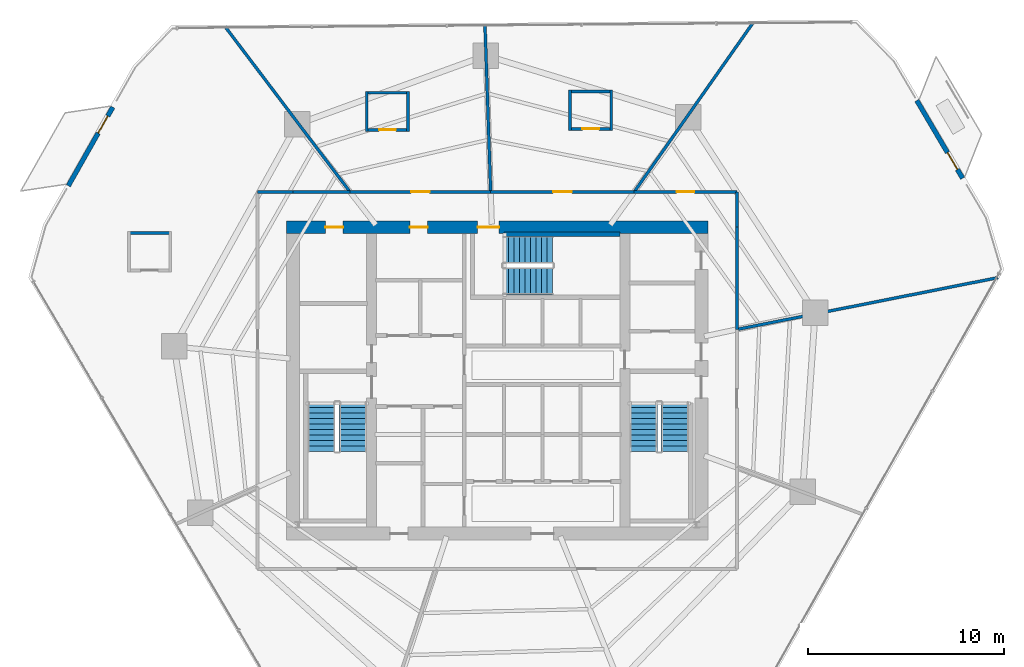
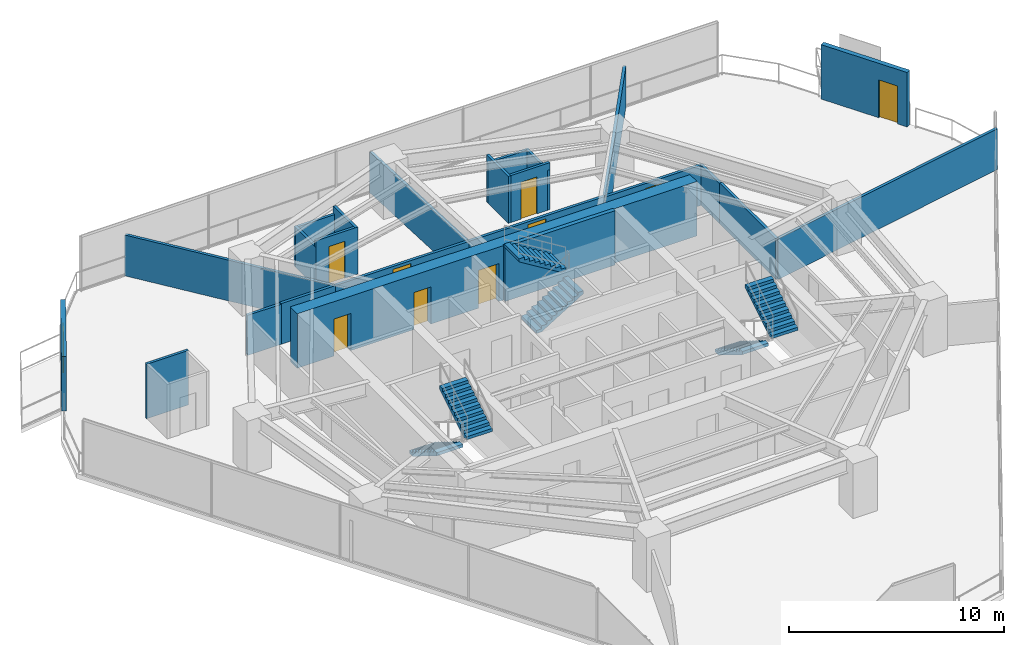
# One storey, part 26 of 31: 24 walls, 10 doors, 6 stair flights, 10 openings, 3 elements without a shape of their own.
"""IFC4 building model written with IfcOpenShell, lengths in metres."""

from ifc_helpers import new_model, si_unit, direction, frame, frame_2d, origin, place, context, subcontext, project, spatial, polyline, rectangle, outline, extrude, material, layer, layer_set, type_object, element, fill, aggregate, save


model = new_model("IFC4")

# Units and contexts
model_context = context("Model", 3, precision=1e-05, world=origin(), true_north=direction((0.0, 1.0)))
body_context = subcontext(model_context, "Body", "Model", "MODEL_VIEW")
ifc_project = project(units=[si_unit("LENGTHUNIT", "METRE"), si_unit("AREAUNIT", "SQUARE_METRE"), si_unit("VOLUMEUNIT", "CUBIC_METRE"), si_unit("PLANEANGLEUNIT", "RADIAN"), si_unit("MASSUNIT", "GRAM", prefix="KILO")], contexts=[model_context])

# Site, building, storey
site_placement = place(None, origin())
site = spatial("IfcSite", under=ifc_project, at=site_placement, CompositionType="ELEMENT")
building_placement = place(site_placement, origin())
building = spatial("IfcBuilding", under=site, at=building_placement, Name="Qarnah Convention Tower", CompositionType="ELEMENT")
storey_placement = place(building_placement, frame((0.0, 0.0, 68.39990234375)))
storey = spatial("IfcBuildingStorey", under=building, at=storey_placement, Name="L17", CompositionType="ELEMENT", Elevation=68.39990234375)

# Wall, openings, doors
ifc_material_1 = material(Name="Concrete C60/75", Category="concrete")
ifc_layer_1 = layer(ifc_material_1, 0.64990234375)
ifc_layer_set_1 = layer_set([ifc_layer_1], Name="Concrete C60/75")
wall_type_1 = type_object("IfcWallType", Name="WL-CORE-650", PredefinedType="SHEAR", material=ifc_layer_set_1)
wall_1_placement = place(storey_placement, frame((26.47509765625, 34.199951171875, 0.0), z_axis=(0.0, 0.0, 1.0), x_axis=(1.0, 0.0, 0.0)))
wall_1 = element("IfcWall", 1, at=wall_1_placement, inside=storey, type_object=wall_type_1, Name="L17 core north shear wall", PredefinedType="SHEAR", context=body_context, shape_type="SweptSolid", body=[
    extrude(rectangle(XDim=21.449951171875, YDim=0.64990234375, at=frame_2d((10.72509765625, 0.0))), origin(), (0.0, 0.0, 1.0), 3.090087890625),
])
opening_1_placement = place(wall_1_placement, frame((9.72509765625, 0.0, 0.0)))
opening_1 = element("IfcOpeningElement", 2, at=opening_1_placement, cuts=wall_1, Name="Opening D-1703", PredefinedType="OPENING", context=body_context, shape_type="SweptSolid", body=[
    extrude(rectangle(XDim=1.10009765625, YDim=2.14990234375, at=frame_2d((0.550048828125, 1.074951171875))), frame((0.0, 0.3349609375, 0.0), z_axis=(0.0, -1.0, 0.0), x_axis=(1.0, 0.0, 0.0)), (0.0, 0.0, 1.0), 0.669921875),
])
opening_2_placement = place(wall_1_placement, frame((1.97509765625, 0.0, 0.0)))
opening_2 = element("IfcOpeningElement", 3, at=opening_2_placement, cuts=wall_1, Name="Opening D-1709", PredefinedType="OPENING", context=body_context, shape_type="SweptSolid", body=[
    extrude(rectangle(XDim=0.89990234375, YDim=2.10009765625, at=frame_2d((0.449951171875, 1.050048828125))), frame((0.0, 0.3349609375, 0.0), z_axis=(0.0, -1.0, 0.0), x_axis=(1.0, 0.0, 0.0)), (0.0, 0.0, 1.0), 0.669921875),
])
opening_3_placement = place(wall_1_placement, frame((6.27490234375, 0.0, 0.0)))
opening_3 = element("IfcOpeningElement", 4, at=opening_3_placement, cuts=wall_1, Name="Opening D-1710", PredefinedType="OPENING", context=body_context, shape_type="SweptSolid", body=[
    extrude(rectangle(XDim=0.89990234375, YDim=2.10009765625, at=frame_2d((0.449951171875, 1.050048828125))), frame((0.0, 0.3349609375, 0.0), z_axis=(0.0, -1.0, 0.0), x_axis=(1.0, 0.0, 0.0)), (0.0, 0.0, 1.0), 0.669921875),
])
ifc_material_2 = material(Name="Structural steel S355JR", Category="steel")
door_type_1 = type_object("IfcDoorType", Name="DT-RISER-900", OperationType="NOTDEFINED", PredefinedType="DOOR", material=ifc_material_2)
door_1_placement = place(opening_2_placement, origin())
door_1 = element("IfcDoor", 5, at=door_1_placement, inside=storey, type_object=door_type_1, Name="Door D-1709", OperationType="SINGLE_SWING_LEFT", OverallHeight=2.10009765625, OverallWidth=0.89990234375, PredefinedType="DOOR", context=body_context, shape_type="SweptSolid", body=[
    extrude(rectangle(XDim=0.89990234375, YDim=2.10009765625, at=frame_2d((0.449951171875, 1.050048828125))), frame((0.0, 0.02490234375, 0.0), z_axis=(0.0, -1.0, 0.0), x_axis=(1.0, 0.0, 0.0)), (0.0, 0.0, 1.0), 0.050048828125),
])
fill(opening_2, door_1)
door_2_placement = place(opening_3_placement, origin())
door_2 = element("IfcDoor", 6, at=door_2_placement, inside=storey, type_object=door_type_1, Name="Door D-1710", OperationType="SINGLE_SWING_RIGHT", OverallHeight=2.10009765625, OverallWidth=0.89990234375, PredefinedType="DOOR", context=body_context, shape_type="SweptSolid", body=[
    extrude(rectangle(XDim=0.89990234375, YDim=2.10009765625, at=frame_2d((0.449951171875, 1.050048828125))), frame((0.0, 0.02490234375, 0.0), z_axis=(0.0, -1.0, 0.0), x_axis=(1.0, 0.0, 0.0)), (0.0, 0.0, 1.0), 0.050048828125),
])
fill(opening_3, door_2)
door_type_2 = type_object("IfcDoorType", Name="DT-STAIR-1100", OperationType="NOTDEFINED", PredefinedType="DOOR", material=ifc_material_2)
door_3_placement = place(opening_1_placement, origin())
door_3 = element("IfcDoor", 7, at=door_3_placement, inside=storey, type_object=door_type_2, Name="Door D-1703", OperationType="SINGLE_SWING_LEFT", OverallHeight=2.14990234375, OverallWidth=1.10009765625, PredefinedType="DOOR", context=body_context, shape_type="SweptSolid", body=[
    extrude(rectangle(XDim=1.10009765625, YDim=2.14990234375, at=frame_2d((0.550048828125, 1.074951171875))), frame((0.0, 0.02490234375, 0.0), z_axis=(0.0, -1.0, 0.0), x_axis=(1.0, 0.0, 0.0)), (0.0, 0.0, 1.0), 0.050048828125),
])
fill(opening_1, door_3)

# Wall
ifc_layer_2 = layer(ifc_material_1, 0.219970703125)
ifc_layer_set_2 = layer_set([ifc_layer_2], Name="Concrete C60/75")
wall_type_2 = type_object("IfcWallType", Name="WL-CORE-STAIR-220", PredefinedType="SHEAR", material=ifc_layer_set_2)
wall_2_placement = place(storey_placement, frame((37.550048828125, 33.840087890625, 0.0), z_axis=(0.0, 0.0, 1.0), x_axis=(1.0, 0.0, 0.0)))
element("IfcWall", 8, at=wall_2_placement, inside=storey, type_object=wall_type_2, Name="L17 stair shaft shear wall SW-L17-ST3N", PredefinedType="SHEAR", context=body_context, shape_type="SweptSolid", body=[
    extrude(rectangle(XDim=5.89990234375, YDim=0.219970703125, at=frame_2d((2.949951171875, 0.0))), origin(), (0.0, 0.0, 1.0), 3.090087890625),
])

# Wall, opening, door
ifc_material_3 = material(Name="Precast concrete C45/55", Category="concrete")
ifc_layer_3 = layer(ifc_material_3, 0.239990234375)
ifc_layer_set_3 = layer_set([ifc_layer_3], Name="Precast concrete C45/55")
wall_type_3 = type_object("IfcWallType", Name="WL-EXT-BAL-240", PredefinedType="SOLIDWALL", material=ifc_layer_set_3)
wall_3_placement = place(storey_placement, frame((58.56591796875, 40.655029296875, 0.0), z_axis=(0.0, 0.0, 1.0), x_axis=(0.507210320613, -0.861822308057, 0.0)))
wall_3 = element("IfcWall", 9, at=wall_3_placement, inside=storey, type_object=wall_type_3, Name="L17 loggia threshold wall BAL-L17-C1", PredefinedType="SOLIDWALL", context=body_context, shape_type="SweptSolid", body=[
    extrude(rectangle(XDim=4.599609375, YDim=0.239990234375, at=frame_2d((2.2998046875, 0.0))), origin(), (0.0, 0.0, 1.0), 3.090087890625),
])
opening_4_placement = place(wall_3_placement, frame((3.080078125, 0.0, 0.0)))
opening_4 = element("IfcOpeningElement", 10, at=opening_4_placement, cuts=wall_3, Name="Opening BD-1701", PredefinedType="OPENING", context=body_context, shape_type="SweptSolid", body=[
    extrude(rectangle(XDim=1.0, YDim=2.14990234375, at=frame_2d((0.5, 1.074951171875))), frame((0.0, 0.1298828125, 0.0), z_axis=(0.0, -1.0, 0.0), x_axis=(1.0, 0.0, 0.0)), (0.0, 0.0, 1.0), 0.260009765625),
])
ifc_material_4 = material(Name="Black anodised aluminium", Category="aluminium")
door_type_3 = type_object("IfcDoorType", Name="DT-BAL-1000", OperationType="NOTDEFINED", PredefinedType="DOOR", material=ifc_material_4)
door_4_placement = place(opening_4_placement, origin())
door_4 = element("IfcDoor", 11, at=door_4_placement, inside=storey, type_object=door_type_3, Name="L17 balcony terrace door BAL-L17-C1", OperationType="SINGLE_SWING_RIGHT", OverallHeight=2.14990234375, OverallWidth=1.0, PredefinedType="DOOR", context=body_context, shape_type="SweptSolid", body=[
    extrude(rectangle(XDim=1.0, YDim=2.14990234375, at=frame_2d((0.5, 1.074951171875))), frame((0.0, 0.02490234375, 0.0), z_axis=(0.0, -1.0, 0.0), x_axis=(1.0, 0.0, 0.0)), (0.0, 0.0, 1.0), 0.050048828125),
])
fill(opening_4, door_4)

wall_4_placement = place(storey_placement, frame((15.35693359375, 36.31005859375, 0.0), z_axis=(0.0, 0.0, 1.0), x_axis=(0.492739307078, 0.870176979275, 0.0)))
wall_4 = element("IfcWall", 12, at=wall_4_placement, inside=storey, type_object=wall_type_3, Name="L17 loggia threshold wall BAL-L17-C2", PredefinedType="SOLIDWALL", context=body_context, shape_type="SweptSolid", body=[
    extrude(rectangle(XDim=4.59912109375, YDim=0.239990234375, at=frame_2d((2.299560546875, 0.0))), origin(), (0.0, 0.0, 1.0), 3.090087890625),
])
opening_5_placement = place(wall_4_placement, frame((3.0791015625, 0.0, 0.0)))
opening_5 = element("IfcOpeningElement", 13, at=opening_5_placement, cuts=wall_4, Name="Opening BD-1702", PredefinedType="OPENING", context=body_context, shape_type="SweptSolid", body=[
    extrude(rectangle(XDim=1.0, YDim=2.14990234375, at=frame_2d((0.5, 1.074951171875))), frame((0.0, 0.1298828125, 0.0), z_axis=(0.0, -1.0, 0.0), x_axis=(1.0, 0.0, 0.0)), (0.0, 0.0, 1.0), 0.260009765625),
])
door_5_placement = place(opening_5_placement, origin())
door_5 = element("IfcDoor", 14, at=door_5_placement, inside=storey, type_object=door_type_3, Name="L17 balcony terrace door BAL-L17-C2", OperationType="SINGLE_SWING_LEFT", OverallHeight=2.14990234375, OverallWidth=1.0, PredefinedType="DOOR", context=body_context, shape_type="SweptSolid", body=[
    extrude(rectangle(XDim=1.0, YDim=2.14990234375, at=frame_2d((0.5, 1.074951171875))), frame((0.0, 0.02490234375, 0.0), z_axis=(0.0, -1.0, 0.0), x_axis=(1.0, 0.0, 0.0)), (0.0, 0.0, 1.0), 0.050048828125),
])
fill(opening_5, door_5)

# Wall
ifc_material_5 = material(Name="Gypsum partition board")
ifc_layer_4 = layer(ifc_material_5, 0.14990234375)
ifc_layer_set_4 = layer_set([ifc_layer_4], Name="Gypsum partition board")
wall_type_4 = type_object("IfcWallType", Name="WL-SUITE-150", PredefinedType="PARTITIONING", material=ifc_layer_set_4)
wall_5_placement = place(storey_placement, frame((50.2490234375, 44.64306640625, 0.0), z_axis=(0.0, 0.0, 1.0), x_axis=(-0.574975204472, -0.818170834387, 0.0)))
element("IfcWall", 15, at=wall_5_placement, inside=storey, type_object=wall_type_4, Name="L17 interior wall IW-L17-R-13", PredefinedType="PARTITIONING", context=body_context, shape_type="SweptSolid", body=[
    extrude(rectangle(XDim=10.56396484375, YDim=0.14990234375, at=frame_2d((5.281982421875, 0.0))), origin(), (0.0, 0.0, 1.0), 2.315185546875),
])

# Wall, opening, door
wall_6_placement = place(storey_placement, frame((44.175048828125, 36.0, 0.0), z_axis=(0.0, 0.0, 1.0), x_axis=(1.0, 0.0, 0.0)))
wall_6 = element("IfcWall", 16, at=wall_6_placement, inside=storey, type_object=wall_type_4, Name="L17 interior wall IW-L17-R-14", PredefinedType="PARTITIONING", context=body_context, shape_type="SweptSolid", body=[
    extrude(rectangle(XDim=5.224853515625, YDim=0.14990234375, at=frame_2d((2.6123046875, 0.0))), origin(), (0.0, 0.0, 1.0), 2.275146484375),
])
opening_6_placement = place(wall_6_placement, frame((2.1630859375, 0.0, 0.0)))
opening_6 = element("IfcOpeningElement", 17, at=opening_6_placement, cuts=wall_6, Name="Opening D-1716", PredefinedType="OPENING", context=body_context, shape_type="SweptSolid", body=[
    extrude(rectangle(XDim=0.89990234375, YDim=2.0, at=frame_2d((0.449951171875, 1.0))), frame((0.0, 0.0849609375, 0.0), z_axis=(0.0, -1.0, 0.0), x_axis=(1.0, 0.0, 0.0)), (0.0, 0.0, 1.0), 0.169921875),
])
door_type_4 = type_object("IfcDoorType", Name="DT-PLANT-900", OperationType="NOTDEFINED", PredefinedType="DOOR", material=ifc_material_2)
door_6_placement = place(opening_6_placement, origin())
door_6 = element("IfcDoor", 18, at=door_6_placement, inside=storey, type_object=door_type_4, Name="Door D-1716", OperationType="SINGLE_SWING_RIGHT", OverallHeight=2.0, OverallWidth=0.89990234375, PredefinedType="DOOR", context=body_context, shape_type="SweptSolid", body=[
    extrude(rectangle(XDim=0.89990234375, YDim=2.0, at=frame_2d((0.449951171875, 1.0))), frame((0.0, 0.02490234375, 0.0), z_axis=(0.0, -1.0, 0.0), x_axis=(1.0, 0.0, 0.0)), (0.0, 0.0, 1.0), 0.050048828125),
])
fill(opening_6, door_6)

# Walls
wall_7_placement = place(storey_placement, frame((49.39990234375, 36.0, 0.0), z_axis=(0.0, 0.0, 1.0), x_axis=(0.0, -1.0, 0.0)))
element("IfcWall", 19, at=wall_7_placement, inside=storey, type_object=wall_type_4, Name="L17 interior wall IW-L17-R-15", PredefinedType="PARTITIONING", context=body_context, shape_type="SweptSolid", body=[
    extrude(rectangle(XDim=1.800048828125, YDim=0.14990234375, at=frame_2d((0.89990234375, 0.0))), origin(), (0.0, 0.0, 1.0), 2.275146484375),
])
wall_8_placement = place(storey_placement, frame((49.39990234375, 34.199951171875, 0.0), z_axis=(0.0, 0.0, 1.0), x_axis=(0.0, -1.0, 0.0)))
element("IfcWall", 20, at=wall_8_placement, inside=storey, type_object=wall_type_4, Name="L17 interior wall IW-L17-R-16", PredefinedType="PARTITIONING", context=body_context, shape_type="SweptSolid", body=[
    extrude(rectangle(XDim=5.20703125, YDim=0.14990234375, at=frame_2d((2.603515625, 0.0))), origin(), (0.0, 0.0, 1.0), 2.315185546875),
])
wall_9_placement = place(storey_placement, frame((49.39990234375, 28.992919921875, 0.0), z_axis=(0.0, 0.0, 1.0), x_axis=(0.980883446328, 0.194596158028, 0.0)))
element("IfcWall", 21, at=wall_9_placement, inside=storey, type_object=wall_type_4, Name="L17 interior wall IW-L17-R-17", PredefinedType="PARTITIONING", context=body_context, shape_type="SweptSolid", body=[
    extrude(rectangle(XDim=13.562255859375, YDim=0.14990234375, at=frame_2d((6.78125, 0.0))), origin(), (0.0, 0.0, 1.0), 2.315185546875),
])
wall_10_placement = place(storey_placement, frame((36.573974609375, 44.513916015625, 0.0), z_axis=(0.0, 0.0, 1.0), x_axis=(0.034161221332, -0.999416335146, 0.0)))
element("IfcWall", 22, at=wall_10_placement, inside=storey, type_object=wall_type_4, Name="L17 interior wall IW-L17-R-18", PredefinedType="PARTITIONING", context=body_context, shape_type="SweptSolid", body=[
    extrude(rectangle(XDim=8.518798828125, YDim=0.14990234375, at=frame_2d((4.25927734375, 0.0))), origin(), (0.0, 0.0, 1.0), 2.315185546875),
])

# Wall, opening, door
wall_11_placement = place(storey_placement, frame((36.864990234375, 36.0, 0.0), z_axis=(0.0, 0.0, 1.0), x_axis=(1.0, 0.0, 0.0)))
wall_11 = element("IfcWall", 23, at=wall_11_placement, inside=storey, type_object=wall_type_4, Name="L17 interior wall IW-L17-R-19", PredefinedType="PARTITIONING", context=body_context, shape_type="SweptSolid", body=[
    extrude(rectangle(XDim=7.31005859375, YDim=0.14990234375, at=frame_2d((3.655029296875, 0.0))), origin(), (0.0, 0.0, 1.0), 2.315185546875),
])
opening_7_placement = place(wall_11_placement, frame((3.179931640625, 0.0, 0.0)))
opening_7 = element("IfcOpeningElement", 24, at=opening_7_placement, cuts=wall_11, Name="Opening D-1717", PredefinedType="OPENING", context=body_context, shape_type="SweptSolid", body=[
    extrude(rectangle(XDim=0.949951171875, YDim=2.14990234375, at=frame_2d((0.47509765625, 1.074951171875))), frame((0.0, 0.0849609375, 0.0), z_axis=(0.0, -1.0, 0.0), x_axis=(1.0, 0.0, 0.0)), (0.0, 0.0, 1.0), 0.169921875),
])
ifc_material_6 = material(Name="Oak timber veneer", Category="wood")
door_type_5 = type_object("IfcDoorType", Name="DT-HOTEL-950", OperationType="NOTDEFINED", PredefinedType="DOOR", material=ifc_material_6)
door_7_placement = place(opening_7_placement, origin())
door_7 = element("IfcDoor", 25, at=door_7_placement, inside=storey, type_object=door_type_5, Name="Door D-1717", OperationType="SINGLE_SWING_LEFT", OverallHeight=2.14990234375, OverallWidth=0.949951171875, PredefinedType="DOOR", context=body_context, shape_type="SweptSolid", body=[
    extrude(rectangle(XDim=0.949951171875, YDim=2.14990234375, at=frame_2d((0.47509765625, 1.074951171875))), frame((0.0, 0.02490234375, 0.0), z_axis=(0.0, -1.0, 0.0), x_axis=(1.0, 0.0, 0.0)), (0.0, 0.0, 1.0), 0.050048828125),
])
fill(opening_7, door_7)

# Wall
wall_12_placement = place(storey_placement, frame((23.3369140625, 44.4189453125, 0.0), z_axis=(0.0, 0.0, 1.0), x_axis=(0.602957118565, -0.79777359769, 0.0)))
element("IfcWall", 26, at=wall_12_placement, inside=storey, type_object=wall_type_4, Name="L17 interior wall IW-L17-R-20", PredefinedType="PARTITIONING", context=body_context, shape_type="SweptSolid", body=[
    extrude(rectangle(XDim=10.552978515625, YDim=0.14990234375, at=frame_2d((5.2763671875, 0.0))), origin(), (0.0, 0.0, 1.0), 2.315185546875),
])

# Wall, opening, door
wall_13_placement = place(storey_placement, frame((29.699951171875, 36.0, 0.0), z_axis=(0.0, 0.0, 1.0), x_axis=(1.0, 0.0, 0.0)))
wall_13 = element("IfcWall", 27, at=wall_13_placement, inside=storey, type_object=wall_type_4, Name="L17 interior wall IW-L17-R-21", PredefinedType="PARTITIONING", context=body_context, shape_type="SweptSolid", body=[
    extrude(rectangle(XDim=7.1650390625, YDim=0.14990234375, at=frame_2d((3.58251953125, 0.0))), origin(), (0.0, 0.0, 1.0), 2.315185546875),
])
opening_8_placement = place(wall_13_placement, frame((3.10791015625, 0.0, 0.0)))
opening_8 = element("IfcOpeningElement", 28, at=opening_8_placement, cuts=wall_13, Name="Opening D-1719", PredefinedType="OPENING", context=body_context, shape_type="SweptSolid", body=[
    extrude(rectangle(XDim=0.949951171875, YDim=2.14990234375, at=frame_2d((0.47509765625, 1.074951171875))), frame((0.0, 0.0849609375, 0.0), z_axis=(0.0, -1.0, 0.0), x_axis=(1.0, 0.0, 0.0)), (0.0, 0.0, 1.0), 0.169921875),
])
door_8_placement = place(opening_8_placement, origin())
door_8 = element("IfcDoor", 29, at=door_8_placement, inside=storey, type_object=door_type_5, Name="Door D-1719", OperationType="SINGLE_SWING_LEFT", OverallHeight=2.14990234375, OverallWidth=0.949951171875, PredefinedType="DOOR", context=body_context, shape_type="SweptSolid", body=[
    extrude(rectangle(XDim=0.949951171875, YDim=2.14990234375, at=frame_2d((0.47509765625, 1.074951171875))), frame((0.0, 0.02490234375, 0.0), z_axis=(0.0, -1.0, 0.0), x_axis=(1.0, 0.0, 0.0)), (0.0, 0.0, 1.0), 0.050048828125),
])
fill(opening_8, door_8)

# Walls
wall_14_placement = place(storey_placement, frame((25.0, 36.0, 0.0), z_axis=(0.0, 0.0, 1.0), x_axis=(1.0, 0.0, 0.0)))
element("IfcWall", 30, at=wall_14_placement, inside=storey, type_object=wall_type_4, Name="L17 interior wall IW-L17-R-24", PredefinedType="PARTITIONING", context=body_context, shape_type="SweptSolid", body=[
    extrude(rectangle(XDim=1.800048828125, YDim=0.14990234375, at=frame_2d((0.89990234375, 0.0))), origin(), (0.0, 0.0, 1.0), 2.275146484375),
])
wall_15_placement = place(storey_placement, frame((26.800048828125, 36.0, 0.0), z_axis=(0.0, 0.0, 1.0), x_axis=(1.0, 0.0, 0.0)))
element("IfcWall", 31, at=wall_15_placement, inside=storey, type_object=wall_type_4, Name="L17 interior wall IW-L17-R-25", PredefinedType="PARTITIONING", context=body_context, shape_type="SweptSolid", body=[
    extrude(rectangle(XDim=2.89990234375, YDim=0.14990234375, at=frame_2d((1.449951171875, 0.0))), origin(), (0.0, 0.0, 1.0), 2.315185546875),
])

# Wall, opening, door
ifc_layer_5 = layer(ifc_material_5, 0.139892578125)
ifc_layer_set_5 = layer_set([ifc_layer_5], Name="Gypsum partition board")
wall_type_5 = type_object("IfcWallType", Name="WL-WET-140", PredefinedType="PARTITIONING", material=ifc_layer_set_5)
wall_16_placement = place(storey_placement, frame((40.8369140625, 39.20703125, 0.0), z_axis=(0.0, 0.0, 1.0), x_axis=(1.0, 0.0, 0.0)))
wall_16 = element("IfcWall", 32, at=wall_16_placement, inside=storey, type_object=wall_type_5, Name="L17 interior wall IW-L17-ENS01-1", PredefinedType="PARTITIONING", context=body_context, shape_type="SweptSolid", body=[
    extrude(rectangle(XDim=2.239990234375, YDim=0.139892578125, at=frame_2d((1.1201171875, 0.0))), origin(), (0.0, 0.0, 1.0), 2.6669921875),
])
opening_9_placement = place(wall_16_placement, frame((0.695068359375, 0.0, 0.0)))
opening_9 = element("IfcOpeningElement", 33, at=opening_9_placement, cuts=wall_16, Name="Opening D-1718", PredefinedType="OPENING", context=body_context, shape_type="SweptSolid", body=[
    extrude(rectangle(XDim=0.85009765625, YDim=2.10009765625, at=frame_2d((0.425048828125, 1.050048828125))), frame((0.0, 0.079833984375, 0.0), z_axis=(0.0, -1.0, 0.0), x_axis=(1.0, 0.0, 0.0)), (0.0, 0.0, 1.0), 0.159912109375),
])
door_type_6 = type_object("IfcDoorType", Name="DT-BATH-850", OperationType="NOTDEFINED", PredefinedType="DOOR", material=ifc_material_6)
door_9_placement = place(opening_9_placement, origin())
door_9 = element("IfcDoor", 34, at=door_9_placement, inside=storey, type_object=door_type_6, Name="Door D-1718", OperationType="SINGLE_SWING_RIGHT", OverallHeight=2.10009765625, OverallWidth=0.85009765625, PredefinedType="DOOR", context=body_context, shape_type="SweptSolid", body=[
    extrude(rectangle(XDim=0.85009765625, YDim=2.10009765625, at=frame_2d((0.425048828125, 1.050048828125))), frame((0.0, 0.02490234375, 0.0), z_axis=(0.0, -1.0, 0.0), x_axis=(1.0, 0.0, 0.0)), (0.0, 0.0, 1.0), 0.050048828125),
])
fill(opening_9, door_9)

# Walls
wall_17_placement = place(storey_placement, frame((43.007080078125, 39.136962890625, 0.0), z_axis=(0.0, 0.0, 1.0), x_axis=(0.0, 1.0, 0.0)))
element("IfcWall", 35, at=wall_17_placement, inside=storey, type_object=wall_type_5, Name="L17 interior wall IW-L17-ENS01-2", PredefinedType="PARTITIONING", context=body_context, shape_type="SweptSolid", body=[
    extrude(rectangle(XDim=2.0400390625, YDim=0.139892578125, at=frame_2d((1.02001953125, 0.0))), origin(), (0.0, 0.0, 1.0), 2.275146484375),
])
wall_18_placement = place(storey_placement, frame((43.076904296875, 41.10693359375, 0.0), z_axis=(0.0, 0.0, 1.0), x_axis=(-1.0, 0.0, 0.0)))
element("IfcWall", 36, at=wall_18_placement, inside=storey, type_object=wall_type_5, Name="L17 interior wall IW-L17-ENS01-3", PredefinedType="PARTITIONING", context=body_context, shape_type="SweptSolid", body=[
    extrude(rectangle(XDim=2.239990234375, YDim=0.139892578125, at=frame_2d((1.1201171875, 0.0))), origin(), (0.0, 0.0, 1.0), 2.275146484375),
])
wall_19_placement = place(storey_placement, frame((40.906982421875, 41.177001953125, 0.0), z_axis=(0.0, 0.0, 1.0), x_axis=(0.0, -1.0, 0.0)))
element("IfcWall", 37, at=wall_19_placement, inside=storey, type_object=wall_type_5, Name="L17 interior wall IW-L17-ENS01-4", PredefinedType="PARTITIONING", context=body_context, shape_type="SweptSolid", body=[
    extrude(rectangle(XDim=2.0400390625, YDim=0.139892578125, at=frame_2d((1.02001953125, 0.0))), origin(), (0.0, 0.0, 1.0), 2.6669921875),
])

# Wall, opening, door
wall_20_placement = place(storey_placement, frame((30.488037109375, 39.15087890625, 0.0), z_axis=(0.0, 0.0, 1.0), x_axis=(1.0, 0.0, 0.0)))
wall_20 = element("IfcWall", 38, at=wall_20_placement, inside=storey, type_object=wall_type_5, Name="L17 interior wall IW-L17-ENS02-1", PredefinedType="PARTITIONING", context=body_context, shape_type="SweptSolid", body=[
    extrude(rectangle(XDim=2.239990234375, YDim=0.139892578125, at=frame_2d((1.1201171875, 0.0))), origin(), (0.0, 0.0, 1.0), 2.6669921875),
])
opening_10_placement = place(wall_20_placement, frame((0.695068359375, 0.0, 0.0)))
opening_10 = element("IfcOpeningElement", 39, at=opening_10_placement, cuts=wall_20, Name="Opening D-1720", PredefinedType="OPENING", context=body_context, shape_type="SweptSolid", body=[
    extrude(rectangle(XDim=0.85009765625, YDim=2.10009765625, at=frame_2d((0.425048828125, 1.050048828125))), frame((0.0, 0.079833984375, 0.0), z_axis=(0.0, -1.0, 0.0), x_axis=(1.0, 0.0, 0.0)), (0.0, 0.0, 1.0), 0.159912109375),
])
door_10_placement = place(opening_10_placement, origin())
door_10 = element("IfcDoor", 40, at=door_10_placement, inside=storey, type_object=door_type_6, Name="Door D-1720", OperationType="SINGLE_SWING_RIGHT", OverallHeight=2.10009765625, OverallWidth=0.85009765625, PredefinedType="DOOR", context=body_context, shape_type="SweptSolid", body=[
    extrude(rectangle(XDim=0.85009765625, YDim=2.10009765625, at=frame_2d((0.425048828125, 1.050048828125))), frame((0.0, 0.02490234375, 0.0), z_axis=(0.0, -1.0, 0.0), x_axis=(1.0, 0.0, 0.0)), (0.0, 0.0, 1.0), 0.050048828125),
])
fill(opening_10, door_10)

# Walls
wall_21_placement = place(storey_placement, frame((32.657958984375, 39.0810546875, 0.0), z_axis=(0.0, 0.0, 1.0), x_axis=(0.0, 1.0, 0.0)))
element("IfcWall", 41, at=wall_21_placement, inside=storey, type_object=wall_type_5, Name="L17 interior wall IW-L17-ENS02-2", PredefinedType="PARTITIONING", context=body_context, shape_type="SweptSolid", body=[
    extrude(rectangle(XDim=2.0400390625, YDim=0.139892578125, at=frame_2d((1.02001953125, 0.0))), origin(), (0.0, 0.0, 1.0), 2.6669921875),
])
wall_22_placement = place(storey_placement, frame((32.72802734375, 41.051025390625, 0.0), z_axis=(0.0, 0.0, 1.0), x_axis=(-1.0, 0.0, 0.0)))
element("IfcWall", 42, at=wall_22_placement, inside=storey, type_object=wall_type_5, Name="L17 interior wall IW-L17-ENS02-3", PredefinedType="PARTITIONING", context=body_context, shape_type="SweptSolid", body=[
    extrude(rectangle(XDim=2.239990234375, YDim=0.139892578125, at=frame_2d((1.1201171875, 0.0))), origin(), (0.0, 0.0, 1.0), 2.275146484375),
])
wall_23_placement = place(storey_placement, frame((30.55810546875, 41.12109375, 0.0), z_axis=(0.0, 0.0, 1.0), x_axis=(0.0, -1.0, 0.0)))
element("IfcWall", 43, at=wall_23_placement, inside=storey, type_object=wall_type_5, Name="L17 interior wall IW-L17-ENS02-4", PredefinedType="PARTITIONING", context=body_context, shape_type="SweptSolid", body=[
    extrude(rectangle(XDim=2.0400390625, YDim=0.139892578125, at=frame_2d((1.02001953125, 0.0))), origin(), (0.0, 0.0, 1.0), 2.275146484375),
])
wall_24_placement = place(storey_placement, frame((20.613037109375, 33.90087890625, 0.0), z_axis=(0.0, 0.0, 1.0), x_axis=(-1.0, 0.0, 0.0)))
element("IfcWall", 44, at=wall_24_placement, inside=storey, type_object=wall_type_5, Name="L17 interior wall IW-L17-ENS03-3", PredefinedType="PARTITIONING", context=body_context, shape_type="SweptSolid", body=[
    extrude(rectangle(XDim=2.239990234375, YDim=0.139892578125, at=frame_2d((1.1201171875, 0.0))), origin(), (0.0, 0.0, 1.0), 3.090087890625),
])

# Stair, stair flights
ifc_material_7 = material(Name="Concrete C50/60", Category="concrete")
stair_type = type_object("IfcStairType", Name="STR-HTL", PredefinedType="HALF_TURN_STAIR", material=ifc_material_7)
stair_1_placement = place(storey_placement, origin())
stair_1 = element("IfcStair", 45, at=stair_1_placement, inside=storey, type_object=stair_type, Name="L17 Core exit stair ST-1", PredefinedType="HALF_TURN_STAIR")
stair_flight_type = type_object("IfcStairFlightType", Name="FLT-HTL", PredefinedType="STRAIGHT", material=ifc_material_7)
stair_flight_1_placement = place(storey_placement, frame((28.25, 25.300048828125, 0.0), z_axis=(0.0, 0.0, 1.0), x_axis=(0.0, -1.0, 0.0)))
stair_flight_1 = element("IfcStairFlight", 46, at=stair_flight_1_placement, type_object=stair_flight_type, Name="ST-1 flight 1", NumberOfRisers=10, NumberOfTreads=9, PredefinedType="STRAIGHT", RiserHeight=0.1725, TreadLength=0.28, context=body_context, shape_type="SweptSolid", body=[
    extrude(outline(polyline([(0.0, 0.0), (0.0, 0.172607421875), (0.280029296875, 0.172607421875), (0.280029296875, 0.344970703125), (0.56005859375, 0.344970703125), (0.56005859375, 0.517578125), (0.840087890625, 0.517578125), (0.840087890625, 0.68994140625), (1.1201171875, 0.68994140625), (1.1201171875, 0.862548828125), (1.39990234375, 0.862548828125), (1.39990234375, 1.034912109375), (1.679931640625, 1.034912109375), (1.679931640625, 1.20751953125), (1.9599609375, 1.20751953125), (1.9599609375, 1.3798828125), (2.239990234375, 1.3798828125), (2.239990234375, 1.552490234375), (2.52001953125, 1.552490234375), (2.52001953125, 1.72509765625), (2.52001953125, 1.37646484375), (0.285888671875, 0.0), (0.0, 0.0)])), frame((0.0, 0.699951171875, 0.0), z_axis=(0.0, -1.0, 0.0), x_axis=(1.0, 0.0, 0.0)), (0.0, 0.0, 1.0), 1.39990234375),
])
stair_flight_2_placement = place(storey_placement, frame((29.85009765625, 22.780029296875, 1.72509765625), z_axis=(0.0, 0.0, 1.0), x_axis=(0.0, 1.0, 0.0)))
stair_flight_2 = element("IfcStairFlight", 47, at=stair_flight_2_placement, type_object=stair_flight_type, Name="ST-1 flight 2", NumberOfRisers=10, NumberOfTreads=9, PredefinedType="STRAIGHT", RiserHeight=0.1725, TreadLength=0.28, context=body_context, shape_type="SweptSolid", body=[
    extrude(outline(polyline([(0.0, 0.0), (0.0, 0.172607421875), (0.280029296875, 0.172607421875), (0.280029296875, 0.344970703125), (0.56005859375, 0.344970703125), (0.56005859375, 0.517578125), (0.840087890625, 0.517578125), (0.840087890625, 0.68994140625), (1.1201171875, 0.68994140625), (1.1201171875, 0.862548828125), (1.39990234375, 0.862548828125), (1.39990234375, 1.034912109375), (1.679931640625, 1.034912109375), (1.679931640625, 1.20751953125), (1.9599609375, 1.20751953125), (1.9599609375, 1.3798828125), (2.239990234375, 1.3798828125), (2.239990234375, 1.552490234375), (2.52001953125, 1.552490234375), (2.52001953125, 1.72509765625), (2.52001953125, 1.37646484375), (0.285888671875, 0.0), (0.0, 0.0)])), frame((0.0, 0.699951171875, 0.0), z_axis=(0.0, -1.0, 0.0), x_axis=(1.0, 0.0, 0.0)), (0.0, 0.0, 1.0), 1.39990234375),
])
aggregate(stair_1, [stair_flight_1, stair_flight_2])

stair_2_placement = place(storey_placement, origin())
stair_2 = element("IfcStair", 48, at=stair_2_placement, inside=storey, type_object=stair_type, Name="L17 Core exit stair ST-2", PredefinedType="HALF_TURN_STAIR")
stair_flight_3_placement = place(storey_placement, frame((44.64990234375, 25.300048828125, 0.0), z_axis=(0.0, 0.0, 1.0), x_axis=(0.0, -1.0, 0.0)))
stair_flight_3 = element("IfcStairFlight", 49, at=stair_flight_3_placement, type_object=stair_flight_type, Name="ST-2 flight 1", NumberOfRisers=10, NumberOfTreads=9, PredefinedType="STRAIGHT", RiserHeight=0.1725, TreadLength=0.28, context=body_context, shape_type="SweptSolid", body=[
    extrude(outline(polyline([(0.0, 0.0), (0.0, 0.172607421875), (0.280029296875, 0.172607421875), (0.280029296875, 0.344970703125), (0.56005859375, 0.344970703125), (0.56005859375, 0.517578125), (0.840087890625, 0.517578125), (0.840087890625, 0.68994140625), (1.1201171875, 0.68994140625), (1.1201171875, 0.862548828125), (1.39990234375, 0.862548828125), (1.39990234375, 1.034912109375), (1.679931640625, 1.034912109375), (1.679931640625, 1.20751953125), (1.9599609375, 1.20751953125), (1.9599609375, 1.3798828125), (2.239990234375, 1.3798828125), (2.239990234375, 1.552490234375), (2.52001953125, 1.552490234375), (2.52001953125, 1.72509765625), (2.52001953125, 1.37646484375), (0.285888671875, 0.0), (0.0, 0.0)])), frame((0.0, 0.699951171875, 0.0), z_axis=(0.0, -1.0, 0.0), x_axis=(1.0, 0.0, 0.0)), (0.0, 0.0, 1.0), 1.39990234375),
])
stair_flight_4_placement = place(storey_placement, frame((46.25, 22.780029296875, 1.72509765625), z_axis=(0.0, 0.0, 1.0), x_axis=(0.0, 1.0, 0.0)))
stair_flight_4 = element("IfcStairFlight", 50, at=stair_flight_4_placement, type_object=stair_flight_type, Name="ST-2 flight 2", NumberOfRisers=10, NumberOfTreads=9, PredefinedType="STRAIGHT", RiserHeight=0.1725, TreadLength=0.28, context=body_context, shape_type="SweptSolid", body=[
    extrude(outline(polyline([(0.0, 0.0), (0.0, 0.172607421875), (0.280029296875, 0.172607421875), (0.280029296875, 0.344970703125), (0.56005859375, 0.344970703125), (0.56005859375, 0.517578125), (0.840087890625, 0.517578125), (0.840087890625, 0.68994140625), (1.1201171875, 0.68994140625), (1.1201171875, 0.862548828125), (1.39990234375, 0.862548828125), (1.39990234375, 1.034912109375), (1.679931640625, 1.034912109375), (1.679931640625, 1.20751953125), (1.9599609375, 1.20751953125), (1.9599609375, 1.3798828125), (2.239990234375, 1.3798828125), (2.239990234375, 1.552490234375), (2.52001953125, 1.552490234375), (2.52001953125, 1.72509765625), (2.52001953125, 1.37646484375), (0.285888671875, 0.0), (0.0, 0.0)])), frame((0.0, 0.699951171875, 0.0), z_axis=(0.0, -1.0, 0.0), x_axis=(1.0, 0.0, 0.0)), (0.0, 0.0, 1.0), 1.39990234375),
])
aggregate(stair_2, [stair_flight_3, stair_flight_4])

stair_3_placement = place(storey_placement, origin())
stair_3 = element("IfcStair", 51, at=stair_3_placement, inside=storey, type_object=stair_type, Name="L17 Core exit stair ST-3", PredefinedType="HALF_TURN_STAIR")
stair_flight_5_placement = place(storey_placement, frame((37.5, 31.449951171875, 0.0), z_axis=(0.0, 0.0, 1.0), x_axis=(1.0, 0.0, 0.0)))
stair_flight_5 = element("IfcStairFlight", 52, at=stair_flight_5_placement, type_object=stair_flight_type, Name="ST-3 flight 1", NumberOfRisers=10, NumberOfTreads=9, PredefinedType="STRAIGHT", RiserHeight=0.1725, TreadLength=0.28, context=body_context, shape_type="SweptSolid", body=[
    extrude(outline(polyline([(0.0, 0.0), (0.0, 0.172607421875), (0.280029296875, 0.172607421875), (0.280029296875, 0.344970703125), (0.56005859375, 0.344970703125), (0.56005859375, 0.517578125), (0.840087890625, 0.517578125), (0.840087890625, 0.68994140625), (1.1201171875, 0.68994140625), (1.1201171875, 0.862548828125), (1.39990234375, 0.862548828125), (1.39990234375, 1.034912109375), (1.679931640625, 1.034912109375), (1.679931640625, 1.20751953125), (1.9599609375, 1.20751953125), (1.9599609375, 1.3798828125), (2.239990234375, 1.3798828125), (2.239990234375, 1.552490234375), (2.52001953125, 1.552490234375), (2.52001953125, 1.72509765625), (2.52001953125, 1.37646484375), (0.285888671875, 0.0), (0.0, 0.0)])), frame((0.0, 0.699951171875, 0.0), z_axis=(0.0, -1.0, 0.0), x_axis=(1.0, 0.0, 0.0)), (0.0, 0.0, 1.0), 1.39990234375),
])
stair_flight_6_placement = place(storey_placement, frame((40.02001953125, 33.050048828125, 1.72509765625), z_axis=(0.0, 0.0, 1.0), x_axis=(-1.0, 0.0, 0.0)))
stair_flight_6 = element("IfcStairFlight", 53, at=stair_flight_6_placement, type_object=stair_flight_type, Name="ST-3 flight 2", NumberOfRisers=10, NumberOfTreads=9, PredefinedType="STRAIGHT", RiserHeight=0.1725, TreadLength=0.28, context=body_context, shape_type="SweptSolid", body=[
    extrude(outline(polyline([(0.0, 0.0), (0.0, 0.172607421875), (0.280029296875, 0.172607421875), (0.280029296875, 0.344970703125), (0.56005859375, 0.344970703125), (0.56005859375, 0.517578125), (0.840087890625, 0.517578125), (0.840087890625, 0.68994140625), (1.1201171875, 0.68994140625), (1.1201171875, 0.862548828125), (1.39990234375, 0.862548828125), (1.39990234375, 1.034912109375), (1.679931640625, 1.034912109375), (1.679931640625, 1.20751953125), (1.9599609375, 1.20751953125), (1.9599609375, 1.3798828125), (2.239990234375, 1.3798828125), (2.239990234375, 1.552490234375), (2.52001953125, 1.552490234375), (2.52001953125, 1.72509765625), (2.52001953125, 1.37646484375), (0.285888671875, 0.0), (0.0, 0.0)])), frame((0.0, 0.699951171875, 0.0), z_axis=(0.0, -1.0, 0.0), x_axis=(1.0, 0.0, 0.0)), (0.0, 0.0, 1.0), 1.39990234375),
])
aggregate(stair_3, [stair_flight_5, stair_flight_6])

save(model, "model.ifc")
